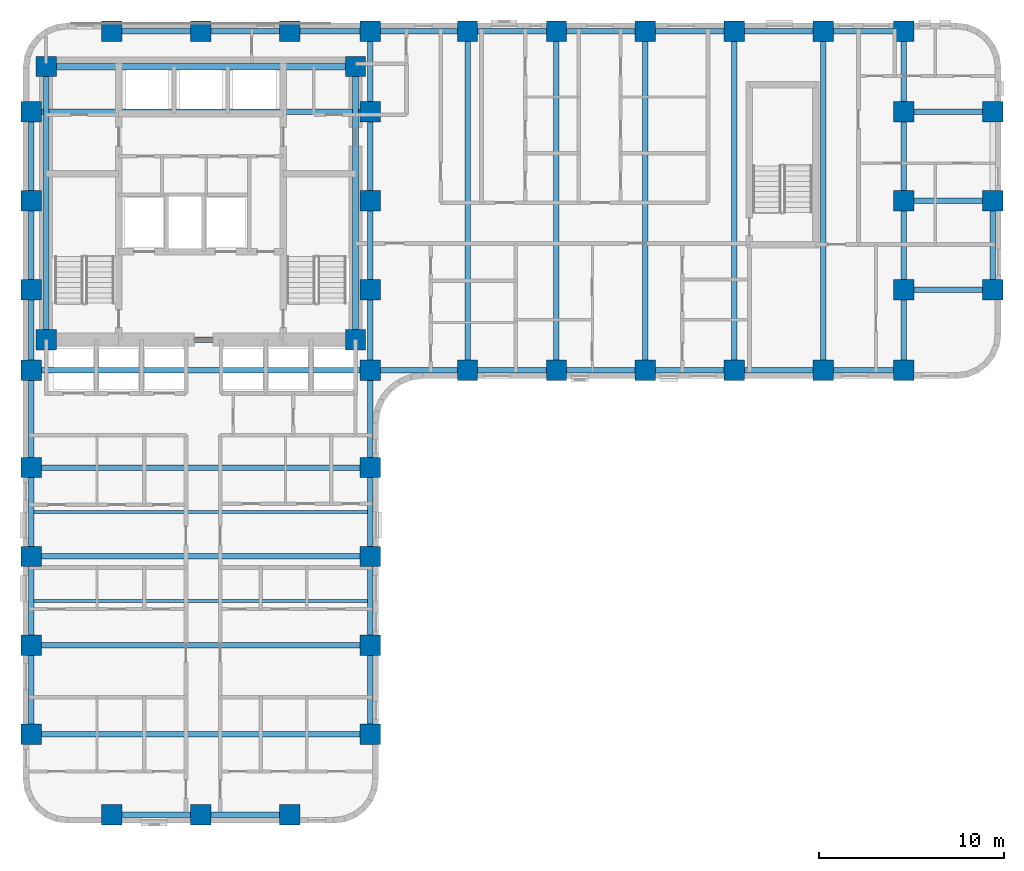
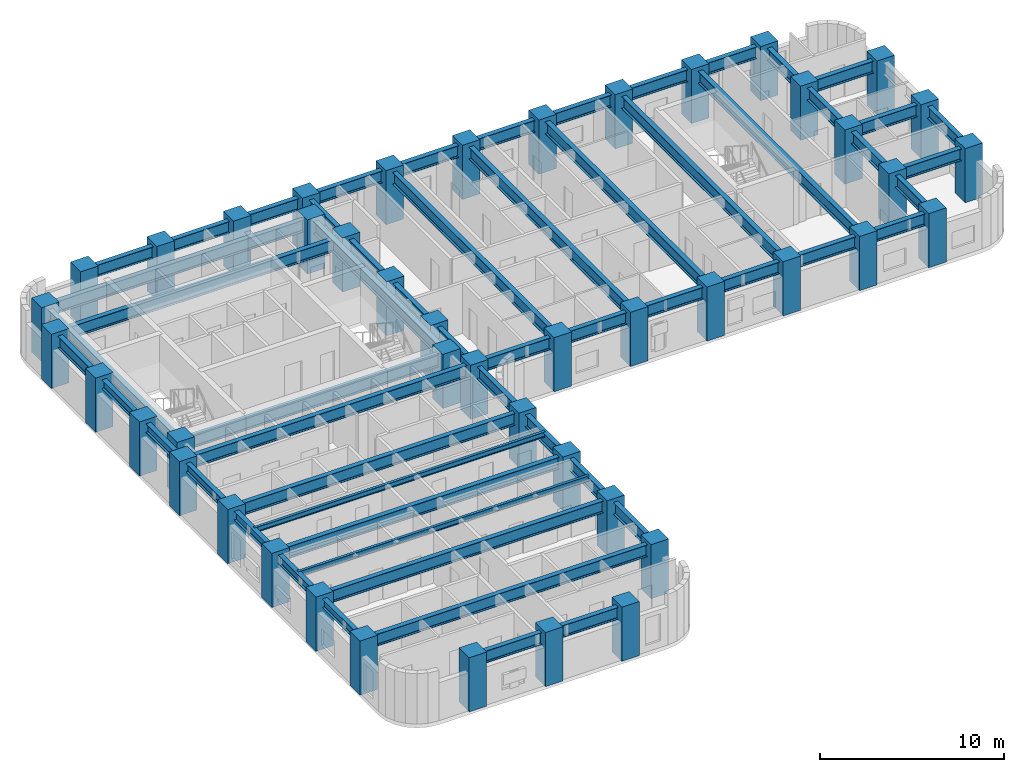
# One storey, part 1 of 11: 57 beams, 45 columns.
"""IFC4 building model written with IfcOpenShell, lengths in metres."""

import ifcopenshell
import ifcopenshell.guid

model = None  # the IFC model being written
_history = None  # IfcOwnerHistory: only IFC2X3 demands one
_inside = {}  # id of a spatial element -> (the spatial element, [elements in it])
_under = {}  # id of a project, library or spatial element -> (it, [spatial elements below it])
_declared = {}  # id of a project -> (the project, [libraries it declares])
_typed = {}  # id of a type object -> (the type object, [elements of that type])
_made_of = {}  # id of a material, layer set ... -> (it, [elements and type objects made of it])


def new_model(schema):
    """Start an empty IFC model of exactly this schema.

    Asked for "IFC4X3", IfcOpenShell would pick the latest addendum, in which some entities
    have other attributes; the version numbers below select the first issue.
    IFC2X3 requires an IfcOwnerHistory on every rooted entity: one is made here for all.
    """
    global model, _history
    if schema == "IFC4X3":
        model = ifcopenshell.file(schema_version=(4, 3, 0, 0))
    else:
        model = ifcopenshell.file(schema=schema)
    _inside.clear()
    _under.clear()
    _declared.clear()
    _typed.clear()
    _made_of.clear()
    _history = None
    if model.schema == "IFC2X3":
        org = make("IfcOrganization", Name="unknown")
        user = make(
            "IfcPersonAndOrganization",
            ThePerson=make("IfcPerson", FamilyName="unknown"),
            TheOrganization=org,
        )
        app = make(
            "IfcApplication",
            ApplicationDeveloper=org,
            Version="unknown",
            ApplicationFullName="unknown",
            ApplicationIdentifier="unknown",
        )
        _history = make(
            "IfcOwnerHistory",
            OwningUser=user,
            OwningApplication=app,
            ChangeAction="ADDED",
            CreationDate=0,
        )
    return model


def make(cls, **values):
    """One entity of the class cls with the attributes given. An attribute that is None is left unset."""
    return model.create_entity(
        cls, **{name: value for name, value in values.items() if value is not None}
    )


def rooted(cls, **values):
    """An entity with a GlobalId (a new one), such as an element, a storey or a relation."""
    return make(cls, GlobalId=ifcopenshell.guid.new(), OwnerHistory=_history, **values)


def si_unit(unit_type, name, prefix=None):
    """IfcSIUnit, for example si_unit("LENGTHUNIT", "METRE", prefix="MILLI")."""
    return make("IfcSIUnit", UnitType=unit_type, Prefix=prefix, Name=name)


def assignment(units):
    """IfcUnitAssignment: the units of a project."""
    return None if units is None else make("IfcUnitAssignment", Units=units)


def point(xyz):
    """IfcCartesianPoint."""
    return None if xyz is None else make("IfcCartesianPoint", Coordinates=xyz)


def direction(xyz):
    """IfcDirection."""
    return None if xyz is None else make("IfcDirection", DirectionRatios=xyz)


def frame(location, z_axis=None, x_axis=None):
    """IfcAxis2Placement3D, a coordinate frame: its origin and axes. An axis left out is left unset."""
    return make(
        "IfcAxis2Placement3D",
        Location=point(location),
        Axis=direction(z_axis),
        RefDirection=direction(x_axis),
    )


def frame_2d(location, x_axis=None):
    """IfcAxis2Placement2D, a coordinate frame in the plane: its origin and x axis."""
    return make(
        "IfcAxis2Placement2D", Location=point(location), RefDirection=direction(x_axis)
    )


def origin():
    """The frame at (0, 0, 0) with its axes left unset."""
    return frame((0.0, 0.0, 0.0))


def origin_2d():
    """The frame at (0, 0) in the plane with its x axis left unset."""
    return frame_2d((0.0, 0.0))


def place(relative_to, where):
    """IfcLocalPlacement: puts the frame where relative to a parent placement (None: the world)."""
    return make(
        "IfcLocalPlacement", PlacementRelTo=relative_to, RelativePlacement=where
    )


def context(
    kind, dimensions, precision=None, world=None, true_north=None, identifier=None
):
    """IfcGeometricRepresentationContext, for example the 3D "Model" context."""
    return make(
        "IfcGeometricRepresentationContext",
        ContextIdentifier=identifier,
        ContextType=kind,
        CoordinateSpaceDimension=dimensions,
        Precision=precision,
        WorldCoordinateSystem=world,
        TrueNorth=true_north,
    )


def subcontext(parent, identifier, kind, view, scale=None):
    """IfcGeometricRepresentationSubContext, for example "Body" below "Model"."""
    return make(
        "IfcGeometricRepresentationSubContext",
        ContextIdentifier=identifier,
        ContextType=kind,
        ParentContext=parent,
        TargetScale=scale,
        TargetView=view,
    )


def project(units=None, contexts=None):
    """IfcProject with its units and contexts."""
    return rooted(
        "IfcProject",
        Name="project",
        RepresentationContexts=contexts,
        UnitsInContext=assignment(units),
    )


def spatial(cls, under=None, at=None, **own):
    """A site, building, storey or space (cls), placed at a placement, below another one or the project."""
    s = rooted(cls, ObjectPlacement=at, **own)
    if under is not None:
        _under.setdefault(under.id(), (under, []))[1].append(s)
    return s


def profile(cls, at=None, kind="AREA", **sizes):
    """A parametric profile (cls). Its sizes go by their IFC names, for example OverallWidth=200.0."""
    return make(cls, ProfileType=kind, Position=at, **sizes)


def rectangle(**sizes):
    """IfcRectangleProfileDef."""
    return profile("IfcRectangleProfileDef", **sizes)


def i_section(**sizes):
    """IfcIShapeProfileDef."""
    return profile("IfcIShapeProfileDef", **sizes)


def extrude(swept, where, along, depth):
    """IfcExtrudedAreaSolid: the profile swept, set in the frame where, extruded along a direction by depth."""
    return make(
        "IfcExtrudedAreaSolid",
        SweptArea=swept,
        Position=where,
        ExtrudedDirection=direction(along),
        Depth=depth,
    )


def shape(context_of_items, identifier, shape_type, items):
    """IfcShapeRepresentation: the items that make up one representation, for example the "Body"."""
    return make(
        "IfcShapeRepresentation",
        ContextOfItems=context_of_items,
        RepresentationIdentifier=identifier,
        RepresentationType=shape_type,
        Items=items,
    )


def material(Name=None, Category=None):
    """IfcMaterial."""
    return make("IfcMaterial", Name=Name, Category=Category)


def material_profile(
    of_material, cross_section, Name=None, Category=None, Priority=None
):
    """IfcMaterialProfile: a cross section and its material."""
    return make(
        "IfcMaterialProfile",
        Name=Name,
        Material=of_material,
        Profile=cross_section,
        Priority=Priority,
        Category=Category,
    )


def profile_set(profiles, Name=None, composite=None):
    """IfcMaterialProfileSet."""
    return make(
        "IfcMaterialProfileSet",
        Name=Name,
        MaterialProfiles=profiles,
        CompositeProfile=composite,
    )


def made_of(thing, what):
    """Note that an element or type object is made of a material, layer set ...; save() writes the relation."""
    if what is not None:
        _made_of.setdefault(what.id(), (what, []))[1].append(thing)
    return thing


def type_object(cls, material=None, **own):
    """A type object (cls), such as IfcWallType, which elements share."""
    return made_of(rooted(cls, **own), material)


def element(
    cls,
    number,
    at=None,
    inside=None,
    cuts=None,
    type_object=None,
    material=None,
    context=None,
    identifier="Body",
    shape_type=None,
    held_by="IfcProductDefinitionShape",
    body=None,
    shapes=None,
    **own,
):
    """One element of the class cls, such as IfcWall. Its Tag is "e" and its number.

    at: its placement. inside: the storey or other place that contains it. cuts: it is an
    opening in that element (IfcRelVoidsElement). A single representation is given by context,
    identifier, shape_type and body (its items); several are given by shapes. held_by: the class
    of the entity that holds the representations. save() writes the other relations.
    """
    e = rooted(cls, Tag="e%d" % number, ObjectPlacement=at, **own)
    if body is not None:
        shapes = [shape(context, identifier, shape_type, body)]
    if shapes is not None:
        e.Representation = make(held_by, Representations=shapes)
    if inside is not None:
        _inside.setdefault(inside.id(), (inside, []))[1].append(e)
    if cuts is not None:
        rooted(
            "IfcRelVoidsElement", RelatingBuildingElement=cuts, RelatedOpeningElement=e
        )
    if type_object is not None:
        _typed.setdefault(type_object.id(), (type_object, []))[1].append(e)
    return made_of(e, material)


def aggregate(whole, parts):
    """IfcRelAggregates: a whole, such as a stair, and the parts it consists of."""
    return rooted("IfcRelAggregates", RelatingObject=whole, RelatedObjects=parts)


def save(model, path):
    """Write the relations noted so far, then the file.

    IfcRelAggregates (storeys below a building ...), IfcRelContainedInSpatialStructure (elements
    in a storey), IfcRelDefinesByType, IfcRelAssociatesMaterial and IfcRelDeclares: one each for
    every whole, place, type object, material and project.
    """
    for whole, parts in _under.values():
        aggregate(whole, parts)
    for where, things in _inside.values():
        rooted(
            "IfcRelContainedInSpatialStructure",
            RelatedElements=things,
            RelatingStructure=where,
        )
    for kind, things in _typed.values():
        rooted("IfcRelDefinesByType", RelatedObjects=things, RelatingType=kind)
    for what, things in _made_of.values():
        rooted("IfcRelAssociatesMaterial", RelatedObjects=things, RelatingMaterial=what)
    for by, libraries in _declared.values():
        rooted("IfcRelDeclares", RelatingContext=by, RelatedDefinitions=libraries)
    model.write(path)


model = new_model("IFC4")

# Units and contexts
model_context = context("Model", 3, precision=1e-05, world=origin(), true_north=direction((0.0, 1.0)))
body_context = subcontext(model_context, "Body", "Model", "MODEL_VIEW")
ifc_project = project(units=[si_unit("LENGTHUNIT", "METRE"), si_unit("AREAUNIT", "SQUARE_METRE"), si_unit("VOLUMEUNIT", "CUBIC_METRE"), si_unit("PLANEANGLEUNIT", "RADIAN"), si_unit("MASSUNIT", "GRAM", prefix="KILO")], contexts=[model_context])

# Site, building, storey
site_placement = place(None, origin())
site = spatial("IfcSite", under=ifc_project, at=site_placement, CompositionType="ELEMENT")
building_placement = place(site_placement, origin())
building = spatial("IfcBuilding", under=site, at=building_placement, Name="Orvandelia Arch Residences", CompositionType="ELEMENT")
storey_placement = place(building_placement, frame((0.0, 0.0, 25.0)))
storey = spatial("IfcBuildingStorey", under=building, at=storey_placement, Name="L05", CompositionType="ELEMENT", Elevation=25.0)

# Columns
ifc_material_1 = material(Name="Concrete C80/95", Category="concrete")
ifc_material_profile_1 = material_profile(ifc_material_1, rectangle(XDim=1.10009765625, YDim=1.10009765625, at=origin_2d()), Name="Concrete C80/95", Category="concrete")
ifc_profile_set_1 = profile_set([ifc_material_profile_1], Name="Concrete C80/95")
column_type = type_object("IfcColumnType", Name="COL-TWR-1100", PredefinedType="COLUMN", material=ifc_profile_set_1)
for number, where, z_axis, x_axis, name in (
    (1, (5.25, 9.60009765625, 0.0), (0.0, 0.0, 1.0), (1.0, 0.0, 0.0), "Structural Column L05-W-W-96"),
    (2, (5.25, 14.39990234375, 0.0), (0.0, 0.0, 1.0), (1.0, 0.0, 0.0), "Structural Column L05-W-W-144"),
    (3, (5.25, 19.199951171875, 0.0), (0.0, 0.0, 1.0), (1.0, 0.0, 0.0), "Structural Column L05-W-W-192"),
    (4, (5.25, 24.0, 0.0), (0.0, 0.0, 1.0), (1.0, 0.0, 0.0), "Structural Column L05-W-W-240"),
    (5, (5.25, 29.25, 0.0), (0.0, 0.0, 1.0), (1.0, 0.0, 0.0), "Structural Column L05-W-W-292"),
    (6, (5.25, 33.60009765625, 0.0), (0.0, 0.0, 1.0), (1.0, 0.0, 0.0), "Structural Column L05-W-W-336"),
    (7, (5.25, 38.39990234375, 0.0), (0.0, 0.0, 1.0), (1.0, 0.0, 0.0), "Structural Column L05-W-W-384"),
    (8, (5.25, 43.199951171875, 0.0), (0.0, 0.0, 1.0), (1.0, 0.0, 0.0), "Structural Column L05-W-W-432"),
    (9, (6.050048828125, 30.89990234375, 0.0), (0.0, 0.0, 1.0), (1.0, 0.0, 0.0), "Structural Column L05-CR-SW"),
    (10, (6.050048828125, 45.64990234375, 0.0), (0.0, 0.0, 1.0), (1.0, 0.0, 0.0), "Structural Column L05-CR-NW"),
    (11, (9.60009765625, 5.25, 0.0), (0.0, 0.0, 1.0), (1.0, 0.0, 0.0), "Structural Column L05-W-S-96"),
    (12, (9.60009765625, 47.550048828125, 0.0), (0.0, 0.0, 1.0), (1.0, 0.0, 0.0), "Structural Column L05-W-N-96"),
    (13, (14.39990234375, 5.25, 0.0), (0.0, 0.0, 1.0), (1.0, 0.0, 0.0), "Structural Column L05-W-S-144"),
    (14, (14.39990234375, 47.550048828125, 0.0), (0.0, 0.0, 1.0), (1.0, 0.0, 0.0), "Structural Column L05-W-N-144"),
    (15, (19.199951171875, 5.25, 0.0), (0.0, 0.0, 1.0), (1.0, 0.0, 0.0), "Structural Column L05-W-S-192"),
    (16, (19.199951171875, 47.550048828125, 0.0), (0.0, 0.0, 1.0), (1.0, 0.0, 0.0), "Structural Column L05-W-N-192"),
    (17, (22.75, 30.89990234375, 0.0), (0.0, 0.0, 1.0), (1.0, 0.0, 0.0), "Structural Column L05-CR-SE"),
    (18, (22.75, 45.64990234375, 0.0), (0.0, 0.0, 1.0), (1.0, 0.0, 0.0), "Structural Column L05-CR-NE"),
    (19, (23.550048828125, 9.60009765625, 0.0), (0.0, 0.0, 1.0), (1.0, 0.0, 0.0), "Structural Column L05-W-E-96"),
    (20, (23.550048828125, 14.39990234375, 0.0), (0.0, 0.0, 1.0), (1.0, 0.0, 0.0), "Structural Column L05-W-E-144"),
    (21, (23.550048828125, 19.199951171875, 0.0), (0.0, 0.0, 1.0), (1.0, 0.0, 0.0), "Structural Column L05-W-E-192"),
    (22, (23.550048828125, 24.0, 0.0), (0.0, 0.0, 1.0), (1.0, 0.0, 0.0), "Structural Column L05-W-E-240"),
    (23, (23.550048828125, 29.25, 0.0), (0.0, 0.0, 1.0), (1.0, 0.0, 0.0), "Structural Column L05-W-E-292"),
    (24, (23.550048828125, 33.60009765625, 0.0), (0.0, 0.0, 1.0), (1.0, 0.0, 0.0), "Structural Column L05-W-E-336"),
    (25, (23.550048828125, 38.39990234375, 0.0), (0.0, 0.0, 1.0), (1.0, 0.0, 0.0), "Structural Column L05-W-E-384"),
    (26, (23.550048828125, 43.199951171875, 0.0), (0.0, 0.0, 1.0), (1.0, 0.0, 0.0), "Structural Column L05-W-E-432"),
    (27, (23.550048828125, 47.550048828125, 0.0), (0.0, 0.0, 1.0), (1.0, 0.0, 0.0), "Structural Column L05-W-N-235"),
    (28, (28.800048828125, 29.25, 0.0), (0.0, 0.0, 1.0), (1.0, 0.0, 0.0), "Structural Column L05-E-S-288"),
    (29, (28.800048828125, 47.550048828125, 0.0), (0.0, 0.0, 1.0), (1.0, 0.0, 0.0), "Structural Column L05-E-N-288"),
    (30, (33.60009765625, 29.25, 0.0), (0.0, 0.0, 1.0), (1.0, 0.0, 0.0), "Structural Column L05-E-S-336"),
    (31, (33.60009765625, 47.550048828125, 0.0), (0.0, 0.0, 1.0), (1.0, 0.0, 0.0), "Structural Column L05-E-N-336"),
    (32, (38.39990234375, 29.25, 0.0), (0.0, 0.0, 1.0), (1.0, 0.0, 0.0), "Structural Column L05-E-S-384"),
    (33, (38.39990234375, 47.550048828125, 0.0), (0.0, 0.0, 1.0), (1.0, 0.0, 0.0), "Structural Column L05-E-N-384"),
    (34, (43.199951171875, 29.25, 0.0), (0.0, 0.0, 1.0), (1.0, 0.0, 0.0), "Structural Column L05-E-S-432"),
    (35, (43.199951171875, 47.550048828125, 0.0), (0.0, 0.0, 1.0), (1.0, 0.0, 0.0), "Structural Column L05-E-N-432"),
    (36, (48.0, 29.25, 0.0), (0.0, 0.0, 1.0), (1.0, 0.0, 0.0), "Structural Column L05-E-S-480"),
    (37, (48.0, 47.550048828125, 0.0), (0.0, 0.0, 1.0), (1.0, 0.0, 0.0), "Structural Column L05-E-N-480"),
    (38, (52.35009765625, 29.25, 0.0), (0.0, 0.0, 1.0), (1.0, 0.0, 0.0), "Structural Column L05-E-S-523"),
    (39, (52.35009765625, 33.60009765625, 0.0), (0.0, 0.0, 1.0), (1.0, 0.0, 0.0), "Structural Column L05-E-523-336"),
    (40, (52.35009765625, 38.39990234375, 0.0), (0.0, 0.0, 1.0), (1.0, 0.0, 0.0), "Structural Column L05-E-523-384"),
    (41, (52.35009765625, 43.199951171875, 0.0), (0.0, 0.0, 1.0), (1.0, 0.0, 0.0), "Structural Column L05-E-523-432"),
    (42, (52.35009765625, 47.550048828125, 0.0), (0.0, 0.0, 1.0), (1.0, 0.0, 0.0), "Structural Column L05-E-N-523"),
    (43, (57.14990234375, 33.60009765625, 0.0), (0.0, 0.0, 1.0), (1.0, 0.0, 0.0), "Structural Column L05-E-571-336"),
    (44, (57.14990234375, 38.39990234375, 0.0), (0.0, 0.0, 1.0), (1.0, 0.0, 0.0), "Structural Column L05-E-571-384"),
    (45, (57.14990234375, 43.199951171875, 0.0), (0.0, 0.0, 1.0), (1.0, 0.0, 0.0), "Structural Column L05-E-571-432"),
):
    element("IfcColumn", number, at=place(storey_placement, frame(where, z_axis=z_axis, x_axis=x_axis)), inside=storey, type_object=column_type, Name=name, PredefinedType="COLUMN", context=body_context, shape_type="SweptSolid", body=[
        extrude(rectangle(XDim=1.10009765625, YDim=1.10009765625, at=origin_2d()), origin(), (0.0, 0.0, 1.0), 3.60009765625),
    ])

# Beams
ifc_material_2 = material(Name="Structural Steel SM355 (355 MPa)", Category="steel")
ifc_material_profile_2 = material_profile(ifc_material_2, i_section(OverallWidth=0.300048828125, OverallDepth=0.800048828125, WebThickness=0.013916015625, FlangeThickness=0.02587890625, FilletRadius=0.02587890625, at=origin_2d()), Name="Structural Steel SM355 (355 MPa)", Category="steel")
ifc_profile_set_2 = profile_set([ifc_material_profile_2], Name="Structural Steel SM355 (355 MPa)")
beam_type_1 = type_object("IfcBeamType", Name="BM-GRD-H800", PredefinedType="BEAM", material=ifc_profile_set_2)
beam_1_placement = place(storey_placement, frame((5.25, 38.39990234375, 2.949951171875), z_axis=(0.0, 1.0, 0.0), x_axis=(-1.0, 0.0, 0.0)))
element("IfcBeam", 46, at=beam_1_placement, inside=storey, type_object=beam_type_1, Name="Structural Frame Beam L05-NS-007", PredefinedType="BEAM", context=body_context, shape_type="SweptSolid", body=[
    extrude(i_section(OverallWidth=0.300048828125, OverallDepth=0.800048828125, WebThickness=0.013916015625, FlangeThickness=0.02587890625, FilletRadius=0.02587890625, at=origin_2d()), origin(), (0.0, 0.0, 1.0), 4.800048828125),
])
for number, where, z_axis, x_axis, name in (
    (47, (6.050048828125, 30.89990234375, 2.949951171875), (0.0, 1.0, 0.0), (-1.0, 0.0, 0.0), "Structural Frame Beam L05-NS-008"),
    (48, (22.75, 30.89990234375, 2.949951171875), (0.0, 1.0, 0.0), (-1.0, 0.0, 0.0), "Structural Frame Beam L05-NS-009"),
):
    element("IfcBeam", number, at=place(storey_placement, frame(where, z_axis=z_axis, x_axis=x_axis)), inside=storey, type_object=beam_type_1, Name=name, PredefinedType="BEAM", context=body_context, shape_type="SweptSolid", body=[
        extrude(i_section(OverallWidth=0.300048828125, OverallDepth=0.800048828125, WebThickness=0.013916015625, FlangeThickness=0.02587890625, FilletRadius=0.02587890625, at=origin_2d()), origin(), (0.0, 0.0, 1.0), 14.75),
    ])
beam_2_placement = place(storey_placement, frame((23.550048828125, 9.60009765625, 2.949951171875), z_axis=(0.0, 1.0, 0.0), x_axis=(-1.0, 0.0, 0.0)))
element("IfcBeam", 49, at=beam_2_placement, inside=storey, type_object=beam_type_1, Name="Structural Frame Beam L05-NS-010", PredefinedType="BEAM", context=body_context, shape_type="SweptSolid", body=[
    extrude(i_section(OverallWidth=0.300048828125, OverallDepth=0.800048828125, WebThickness=0.013916015625, FlangeThickness=0.02587890625, FilletRadius=0.02587890625, at=origin_2d()), origin(), (0.0, 0.0, 1.0), 4.7998046875),
])
for number, where, z_axis, x_axis, name in (
    (50, (23.550048828125, 14.39990234375, 2.949951171875), (0.0, 1.0, 0.0), (-1.0, 0.0, 0.0), "Structural Frame Beam L05-NS-011"),
    (51, (23.550048828125, 19.199951171875, 2.949951171875), (0.0, 1.0, 0.0), (-1.0, 0.0, 0.0), "Structural Frame Beam L05-NS-012"),
):
    element("IfcBeam", number, at=place(storey_placement, frame(where, z_axis=z_axis, x_axis=x_axis)), inside=storey, type_object=beam_type_1, Name=name, PredefinedType="BEAM", context=body_context, shape_type="SweptSolid", body=[
        extrude(i_section(OverallWidth=0.300048828125, OverallDepth=0.800048828125, WebThickness=0.013916015625, FlangeThickness=0.02587890625, FilletRadius=0.02587890625, at=origin_2d()), origin(), (0.0, 0.0, 1.0), 4.800048828125),
    ])
beam_3_placement = place(storey_placement, frame((23.550048828125, 24.0, 2.949951171875), z_axis=(0.0, 1.0, 0.0), x_axis=(-1.0, 0.0, 0.0)))
element("IfcBeam", 52, at=beam_3_placement, inside=storey, type_object=beam_type_1, Name="Structural Frame Beam L05-NS-013", PredefinedType="BEAM", context=body_context, shape_type="SweptSolid", body=[
    extrude(i_section(OverallWidth=0.300048828125, OverallDepth=0.800048828125, WebThickness=0.013916015625, FlangeThickness=0.02587890625, FilletRadius=0.02587890625, at=origin_2d()), origin(), (0.0, 0.0, 1.0), 5.25),
])
beam_4_placement = place(storey_placement, frame((23.550048828125, 29.25, 2.949951171875), z_axis=(0.0, 1.0, 0.0), x_axis=(-1.0, 0.0, 0.0)))
element("IfcBeam", 53, at=beam_4_placement, inside=storey, type_object=beam_type_1, Name="Structural Frame Beam L05-NS-014", PredefinedType="BEAM", context=body_context, shape_type="SweptSolid", body=[
    extrude(i_section(OverallWidth=0.300048828125, OverallDepth=0.800048828125, WebThickness=0.013916015625, FlangeThickness=0.02587890625, FilletRadius=0.02587890625, at=origin_2d()), origin(), (0.0, 0.0, 1.0), 4.35009765625),
])
beam_5_placement = place(storey_placement, frame((23.550048828125, 33.60009765625, 2.949951171875), z_axis=(0.0, 1.0, 0.0), x_axis=(-1.0, 0.0, 0.0)))
element("IfcBeam", 54, at=beam_5_placement, inside=storey, type_object=beam_type_1, Name="Structural Frame Beam L05-NS-015", PredefinedType="BEAM", context=body_context, shape_type="SweptSolid", body=[
    extrude(i_section(OverallWidth=0.300048828125, OverallDepth=0.800048828125, WebThickness=0.013916015625, FlangeThickness=0.02587890625, FilletRadius=0.02587890625, at=origin_2d()), origin(), (0.0, 0.0, 1.0), 4.7998046875),
])
beam_6_placement = place(storey_placement, frame((23.550048828125, 38.39990234375, 2.949951171875), z_axis=(0.0, 1.0, 0.0), x_axis=(-1.0, 0.0, 0.0)))
element("IfcBeam", 55, at=beam_6_placement, inside=storey, type_object=beam_type_1, Name="Structural Frame Beam L05-NS-016", PredefinedType="BEAM", context=body_context, shape_type="SweptSolid", body=[
    extrude(i_section(OverallWidth=0.300048828125, OverallDepth=0.800048828125, WebThickness=0.013916015625, FlangeThickness=0.02587890625, FilletRadius=0.02587890625, at=origin_2d()), origin(), (0.0, 0.0, 1.0), 4.800048828125),
])
beam_7_placement = place(storey_placement, frame((23.550048828125, 43.199951171875, 2.949951171875), z_axis=(0.0, 1.0, 0.0), x_axis=(-1.0, 0.0, 0.0)))
element("IfcBeam", 56, at=beam_7_placement, inside=storey, type_object=beam_type_1, Name="Structural Frame Beam L05-NS-017", PredefinedType="BEAM", context=body_context, shape_type="SweptSolid", body=[
    extrude(i_section(OverallWidth=0.300048828125, OverallDepth=0.800048828125, WebThickness=0.013916015625, FlangeThickness=0.02587890625, FilletRadius=0.02587890625, at=origin_2d()), origin(), (0.0, 0.0, 1.0), 4.35009765625),
])
for number, where, z_axis, x_axis, name in (
    (57, (28.800048828125, 29.25, 2.949951171875), (0.0, 1.0, 0.0), (-1.0, 0.0, 0.0), "Structural Frame Beam L05-NS-018"),
    (58, (33.60009765625, 29.25, 2.949951171875), (0.0, 1.0, 0.0), (-1.0, 0.0, 0.0), "Structural Frame Beam L05-NS-019"),
    (59, (38.39990234375, 29.25, 2.949951171875), (0.0, 1.0, 0.0), (-1.0, 0.0, 0.0), "Structural Frame Beam L05-NS-020"),
    (60, (43.199951171875, 29.25, 2.949951171875), (0.0, 1.0, 0.0), (-1.0, 0.0, 0.0), "Structural Frame Beam L05-NS-021"),
    (61, (48.0, 29.25, 2.949951171875), (0.0, 1.0, 0.0), (-1.0, 0.0, 0.0), "Structural Frame Beam L05-NS-022"),
):
    element("IfcBeam", number, at=place(storey_placement, frame(where, z_axis=z_axis, x_axis=x_axis)), inside=storey, type_object=beam_type_1, Name=name, PredefinedType="BEAM", context=body_context, shape_type="SweptSolid", body=[
        extrude(i_section(OverallWidth=0.300048828125, OverallDepth=0.800048828125, WebThickness=0.013916015625, FlangeThickness=0.02587890625, FilletRadius=0.02587890625, at=origin_2d()), origin(), (0.0, 0.0, 1.0), 18.300048828125),
    ])
beam_8_placement = place(storey_placement, frame((52.35009765625, 29.25, 2.949951171875), z_axis=(0.0, 1.0, 0.0), x_axis=(-1.0, 0.0, 0.0)))
element("IfcBeam", 62, at=beam_8_placement, inside=storey, type_object=beam_type_1, Name="Structural Frame Beam L05-NS-023", PredefinedType="BEAM", context=body_context, shape_type="SweptSolid", body=[
    extrude(i_section(OverallWidth=0.300048828125, OverallDepth=0.800048828125, WebThickness=0.013916015625, FlangeThickness=0.02587890625, FilletRadius=0.02587890625, at=origin_2d()), origin(), (0.0, 0.0, 1.0), 4.35009765625),
])
beam_9_placement = place(storey_placement, frame((52.35009765625, 33.60009765625, 2.949951171875), z_axis=(0.0, 1.0, 0.0), x_axis=(-1.0, 0.0, 0.0)))
element("IfcBeam", 63, at=beam_9_placement, inside=storey, type_object=beam_type_1, Name="Structural Frame Beam L05-NS-024", PredefinedType="BEAM", context=body_context, shape_type="SweptSolid", body=[
    extrude(i_section(OverallWidth=0.300048828125, OverallDepth=0.800048828125, WebThickness=0.013916015625, FlangeThickness=0.02587890625, FilletRadius=0.02587890625, at=origin_2d()), origin(), (0.0, 0.0, 1.0), 4.7998046875),
])
beam_10_placement = place(storey_placement, frame((52.35009765625, 38.39990234375, 2.949951171875), z_axis=(0.0, 1.0, 0.0), x_axis=(-1.0, 0.0, 0.0)))
element("IfcBeam", 64, at=beam_10_placement, inside=storey, type_object=beam_type_1, Name="Structural Frame Beam L05-NS-025", PredefinedType="BEAM", context=body_context, shape_type="SweptSolid", body=[
    extrude(i_section(OverallWidth=0.300048828125, OverallDepth=0.800048828125, WebThickness=0.013916015625, FlangeThickness=0.02587890625, FilletRadius=0.02587890625, at=origin_2d()), origin(), (0.0, 0.0, 1.0), 4.800048828125),
])
beam_11_placement = place(storey_placement, frame((52.35009765625, 43.199951171875, 2.949951171875), z_axis=(0.0, 1.0, 0.0), x_axis=(-1.0, 0.0, 0.0)))
element("IfcBeam", 65, at=beam_11_placement, inside=storey, type_object=beam_type_1, Name="Structural Frame Beam L05-NS-026", PredefinedType="BEAM", context=body_context, shape_type="SweptSolid", body=[
    extrude(i_section(OverallWidth=0.300048828125, OverallDepth=0.800048828125, WebThickness=0.013916015625, FlangeThickness=0.02587890625, FilletRadius=0.02587890625, at=origin_2d()), origin(), (0.0, 0.0, 1.0), 4.35009765625),
])
for number, where, z_axis, x_axis, name in (
    (66, (57.14990234375, 33.60009765625, 2.949951171875), (0.0, 1.0, 0.0), (-1.0, 0.0, 0.0), "Structural Frame Beam L05-NS-027"),
    (67, (9.60009765625, 5.25, 2.949951171875), (1.0, 0.0, 0.0), (0.0, 1.0, 0.0), "Structural Frame Girder L05-EW-029"),
):
    element("IfcBeam", number, at=place(storey_placement, frame(where, z_axis=z_axis, x_axis=x_axis)), inside=storey, type_object=beam_type_1, Name=name, PredefinedType="BEAM", context=body_context, shape_type="SweptSolid", body=[
        extrude(i_section(OverallWidth=0.300048828125, OverallDepth=0.800048828125, WebThickness=0.013916015625, FlangeThickness=0.02587890625, FilletRadius=0.02587890625, at=origin_2d()), origin(), (0.0, 0.0, 1.0), 4.7998046875),
    ])
beam_12_placement = place(storey_placement, frame((14.39990234375, 5.25, 2.949951171875), z_axis=(1.0, 0.0, 0.0), x_axis=(0.0, 1.0, 0.0)))
element("IfcBeam", 68, at=beam_12_placement, inside=storey, type_object=beam_type_1, Name="Structural Frame Girder L05-EW-030", PredefinedType="BEAM", context=body_context, shape_type="SweptSolid", body=[
    extrude(i_section(OverallWidth=0.300048828125, OverallDepth=0.800048828125, WebThickness=0.013916015625, FlangeThickness=0.02587890625, FilletRadius=0.02587890625, at=origin_2d()), origin(), (0.0, 0.0, 1.0), 4.800048828125),
])
for number, where, z_axis, x_axis, name in (
    (69, (5.25, 9.60009765625, 2.949951171875), (1.0, 0.0, 0.0), (0.0, 1.0, 0.0), "Structural Frame Girder L05-EW-031"),
    (70, (5.25, 14.39990234375, 2.949951171875), (1.0, 0.0, 0.0), (0.0, 1.0, 0.0), "Structural Frame Girder L05-EW-032"),
    (71, (5.25, 19.199951171875, 2.949951171875), (1.0, 0.0, 0.0), (0.0, 1.0, 0.0), "Structural Frame Girder L05-EW-033"),
    (72, (5.25, 24.0, 2.949951171875), (1.0, 0.0, 0.0), (0.0, 1.0, 0.0), "Structural Frame Girder L05-EW-034"),
    (73, (5.25, 29.25, 2.949951171875), (1.0, 0.0, 0.0), (0.0, 1.0, 0.0), "Structural Frame Girder L05-EW-035"),
):
    element("IfcBeam", number, at=place(storey_placement, frame(where, z_axis=z_axis, x_axis=x_axis)), inside=storey, type_object=beam_type_1, Name=name, PredefinedType="BEAM", context=body_context, shape_type="SweptSolid", body=[
        extrude(i_section(OverallWidth=0.300048828125, OverallDepth=0.800048828125, WebThickness=0.013916015625, FlangeThickness=0.02587890625, FilletRadius=0.02587890625, at=origin_2d()), origin(), (0.0, 0.0, 1.0), 18.300048828125),
    ])
beam_13_placement = place(storey_placement, frame((23.550048828125, 29.25, 2.949951171875), z_axis=(1.0, 0.0, 0.0), x_axis=(0.0, 1.0, 0.0)))
element("IfcBeam", 74, at=beam_13_placement, inside=storey, type_object=beam_type_1, Name="Structural Frame Girder L05-EW-036", PredefinedType="BEAM", context=body_context, shape_type="SweptSolid", body=[
    extrude(i_section(OverallWidth=0.300048828125, OverallDepth=0.800048828125, WebThickness=0.013916015625, FlangeThickness=0.02587890625, FilletRadius=0.02587890625, at=origin_2d()), origin(), (0.0, 0.0, 1.0), 5.25),
])
beam_14_placement = place(storey_placement, frame((28.800048828125, 29.25, 2.949951171875), z_axis=(1.0, 0.0, 0.0), x_axis=(0.0, 1.0, 0.0)))
element("IfcBeam", 75, at=beam_14_placement, inside=storey, type_object=beam_type_1, Name="Structural Frame Girder L05-EW-037", PredefinedType="BEAM", context=body_context, shape_type="SweptSolid", body=[
    extrude(i_section(OverallWidth=0.300048828125, OverallDepth=0.800048828125, WebThickness=0.013916015625, FlangeThickness=0.02587890625, FilletRadius=0.02587890625, at=origin_2d()), origin(), (0.0, 0.0, 1.0), 4.800048828125),
])
beam_15_placement = place(storey_placement, frame((33.60009765625, 29.25, 2.949951171875), z_axis=(1.0, 0.0, 0.0), x_axis=(0.0, 1.0, 0.0)))
element("IfcBeam", 76, at=beam_15_placement, inside=storey, type_object=beam_type_1, Name="Structural Frame Girder L05-EW-038", PredefinedType="BEAM", context=body_context, shape_type="SweptSolid", body=[
    extrude(i_section(OverallWidth=0.300048828125, OverallDepth=0.800048828125, WebThickness=0.013916015625, FlangeThickness=0.02587890625, FilletRadius=0.02587890625, at=origin_2d()), origin(), (0.0, 0.0, 1.0), 4.7998046875),
])
for number, where, z_axis, x_axis, name in (
    (77, (38.39990234375, 29.25, 2.949951171875), (1.0, 0.0, 0.0), (0.0, 1.0, 0.0), "Structural Frame Girder L05-EW-039"),
    (78, (43.199951171875, 29.25, 2.949951171875), (1.0, 0.0, 0.0), (0.0, 1.0, 0.0), "Structural Frame Girder L05-EW-040"),
):
    element("IfcBeam", number, at=place(storey_placement, frame(where, z_axis=z_axis, x_axis=x_axis)), inside=storey, type_object=beam_type_1, Name=name, PredefinedType="BEAM", context=body_context, shape_type="SweptSolid", body=[
        extrude(i_section(OverallWidth=0.300048828125, OverallDepth=0.800048828125, WebThickness=0.013916015625, FlangeThickness=0.02587890625, FilletRadius=0.02587890625, at=origin_2d()), origin(), (0.0, 0.0, 1.0), 4.800048828125),
    ])
beam_16_placement = place(storey_placement, frame((48.0, 29.25, 2.949951171875), z_axis=(1.0, 0.0, 0.0), x_axis=(0.0, 1.0, 0.0)))
element("IfcBeam", 79, at=beam_16_placement, inside=storey, type_object=beam_type_1, Name="Structural Frame Girder L05-EW-041", PredefinedType="BEAM", context=body_context, shape_type="SweptSolid", body=[
    extrude(i_section(OverallWidth=0.300048828125, OverallDepth=0.800048828125, WebThickness=0.013916015625, FlangeThickness=0.02587890625, FilletRadius=0.02587890625, at=origin_2d()), origin(), (0.0, 0.0, 1.0), 4.35009765625),
])
beam_17_placement = place(storey_placement, frame((6.050048828125, 30.89990234375, 2.949951171875), z_axis=(1.0, 0.0, 0.0), x_axis=(0.0, 1.0, 0.0)))
element("IfcBeam", 80, at=beam_17_placement, inside=storey, type_object=beam_type_1, Name="Structural Frame Girder L05-EW-042", PredefinedType="BEAM", context=body_context, shape_type="SweptSolid", body=[
    extrude(i_section(OverallWidth=0.300048828125, OverallDepth=0.800048828125, WebThickness=0.013916015625, FlangeThickness=0.02587890625, FilletRadius=0.02587890625, at=origin_2d()), origin(), (0.0, 0.0, 1.0), 16.699951171875),
])
for number, where, z_axis, x_axis, name in (
    (81, (52.35009765625, 33.60009765625, 2.949951171875), (1.0, 0.0, 0.0), (0.0, 1.0, 0.0), "Structural Frame Girder L05-EW-044"),
    (82, (52.35009765625, 38.39990234375, 2.949951171875), (1.0, 0.0, 0.0), (0.0, 1.0, 0.0), "Structural Frame Girder L05-EW-046"),
):
    element("IfcBeam", number, at=place(storey_placement, frame(where, z_axis=z_axis, x_axis=x_axis)), inside=storey, type_object=beam_type_1, Name=name, PredefinedType="BEAM", context=body_context, shape_type="SweptSolid", body=[
        extrude(i_section(OverallWidth=0.300048828125, OverallDepth=0.800048828125, WebThickness=0.013916015625, FlangeThickness=0.02587890625, FilletRadius=0.02587890625, at=origin_2d()), origin(), (0.0, 0.0, 1.0), 4.7998046875),
    ])
beam_18_placement = place(storey_placement, frame((5.25, 43.199951171875, 2.949951171875), z_axis=(1.0, 0.0, 0.0), x_axis=(0.0, 1.0, 0.0)))
element("IfcBeam", 83, at=beam_18_placement, inside=storey, type_object=beam_type_1, Name="Structural Frame Girder L05-EW-047", PredefinedType="BEAM", context=body_context, shape_type="SweptSolid", body=[
    extrude(i_section(OverallWidth=0.300048828125, OverallDepth=0.800048828125, WebThickness=0.013916015625, FlangeThickness=0.02587890625, FilletRadius=0.02587890625, at=origin_2d()), origin(), (0.0, 0.0, 1.0), 18.300048828125),
])
beam_19_placement = place(storey_placement, frame((52.35009765625, 43.199951171875, 2.949951171875), z_axis=(1.0, 0.0, 0.0), x_axis=(0.0, 1.0, 0.0)))
element("IfcBeam", 84, at=beam_19_placement, inside=storey, type_object=beam_type_1, Name="Structural Frame Girder L05-EW-048", PredefinedType="BEAM", context=body_context, shape_type="SweptSolid", body=[
    extrude(i_section(OverallWidth=0.300048828125, OverallDepth=0.800048828125, WebThickness=0.013916015625, FlangeThickness=0.02587890625, FilletRadius=0.02587890625, at=origin_2d()), origin(), (0.0, 0.0, 1.0), 4.7998046875),
])
beam_20_placement = place(storey_placement, frame((6.050048828125, 45.64990234375, 2.949951171875), z_axis=(1.0, 0.0, 0.0), x_axis=(0.0, 1.0, 0.0)))
element("IfcBeam", 85, at=beam_20_placement, inside=storey, type_object=beam_type_1, Name="Structural Frame Girder L05-EW-049", PredefinedType="BEAM", context=body_context, shape_type="SweptSolid", body=[
    extrude(i_section(OverallWidth=0.300048828125, OverallDepth=0.800048828125, WebThickness=0.013916015625, FlangeThickness=0.02587890625, FilletRadius=0.02587890625, at=origin_2d()), origin(), (0.0, 0.0, 1.0), 16.699951171875),
])
beam_21_placement = place(storey_placement, frame((9.60009765625, 47.550048828125, 2.949951171875), z_axis=(1.0, 0.0, 0.0), x_axis=(0.0, 1.0, 0.0)))
element("IfcBeam", 86, at=beam_21_placement, inside=storey, type_object=beam_type_1, Name="Structural Frame Girder L05-EW-050", PredefinedType="BEAM", context=body_context, shape_type="SweptSolid", body=[
    extrude(i_section(OverallWidth=0.300048828125, OverallDepth=0.800048828125, WebThickness=0.013916015625, FlangeThickness=0.02587890625, FilletRadius=0.02587890625, at=origin_2d()), origin(), (0.0, 0.0, 1.0), 4.7998046875),
])
beam_22_placement = place(storey_placement, frame((14.39990234375, 47.550048828125, 2.949951171875), z_axis=(1.0, 0.0, 0.0), x_axis=(0.0, 1.0, 0.0)))
element("IfcBeam", 87, at=beam_22_placement, inside=storey, type_object=beam_type_1, Name="Structural Frame Girder L05-EW-051", PredefinedType="BEAM", context=body_context, shape_type="SweptSolid", body=[
    extrude(i_section(OverallWidth=0.300048828125, OverallDepth=0.800048828125, WebThickness=0.013916015625, FlangeThickness=0.02587890625, FilletRadius=0.02587890625, at=origin_2d()), origin(), (0.0, 0.0, 1.0), 4.800048828125),
])
beam_23_placement = place(storey_placement, frame((19.199951171875, 47.550048828125, 2.949951171875), z_axis=(1.0, 0.0, 0.0), x_axis=(0.0, 1.0, 0.0)))
element("IfcBeam", 88, at=beam_23_placement, inside=storey, type_object=beam_type_1, Name="Structural Frame Girder L05-EW-052", PredefinedType="BEAM", context=body_context, shape_type="SweptSolid", body=[
    extrude(i_section(OverallWidth=0.300048828125, OverallDepth=0.800048828125, WebThickness=0.013916015625, FlangeThickness=0.02587890625, FilletRadius=0.02587890625, at=origin_2d()), origin(), (0.0, 0.0, 1.0), 4.35009765625),
])
beam_24_placement = place(storey_placement, frame((23.550048828125, 47.550048828125, 2.949951171875), z_axis=(1.0, 0.0, 0.0), x_axis=(0.0, 1.0, 0.0)))
element("IfcBeam", 89, at=beam_24_placement, inside=storey, type_object=beam_type_1, Name="Structural Frame Girder L05-EW-053", PredefinedType="BEAM", context=body_context, shape_type="SweptSolid", body=[
    extrude(i_section(OverallWidth=0.300048828125, OverallDepth=0.800048828125, WebThickness=0.013916015625, FlangeThickness=0.02587890625, FilletRadius=0.02587890625, at=origin_2d()), origin(), (0.0, 0.0, 1.0), 5.25),
])
beam_25_placement = place(storey_placement, frame((28.800048828125, 47.550048828125, 2.949951171875), z_axis=(1.0, 0.0, 0.0), x_axis=(0.0, 1.0, 0.0)))
element("IfcBeam", 90, at=beam_25_placement, inside=storey, type_object=beam_type_1, Name="Structural Frame Girder L05-EW-054", PredefinedType="BEAM", context=body_context, shape_type="SweptSolid", body=[
    extrude(i_section(OverallWidth=0.300048828125, OverallDepth=0.800048828125, WebThickness=0.013916015625, FlangeThickness=0.02587890625, FilletRadius=0.02587890625, at=origin_2d()), origin(), (0.0, 0.0, 1.0), 4.800048828125),
])
beam_26_placement = place(storey_placement, frame((33.60009765625, 47.550048828125, 2.949951171875), z_axis=(1.0, 0.0, 0.0), x_axis=(0.0, 1.0, 0.0)))
element("IfcBeam", 91, at=beam_26_placement, inside=storey, type_object=beam_type_1, Name="Structural Frame Girder L05-EW-055", PredefinedType="BEAM", context=body_context, shape_type="SweptSolid", body=[
    extrude(i_section(OverallWidth=0.300048828125, OverallDepth=0.800048828125, WebThickness=0.013916015625, FlangeThickness=0.02587890625, FilletRadius=0.02587890625, at=origin_2d()), origin(), (0.0, 0.0, 1.0), 4.7998046875),
])
for number, where, z_axis, x_axis, name in (
    (92, (38.39990234375, 47.550048828125, 2.949951171875), (1.0, 0.0, 0.0), (0.0, 1.0, 0.0), "Structural Frame Girder L05-EW-056"),
    (93, (43.199951171875, 47.550048828125, 2.949951171875), (1.0, 0.0, 0.0), (0.0, 1.0, 0.0), "Structural Frame Girder L05-EW-057"),
):
    element("IfcBeam", number, at=place(storey_placement, frame(where, z_axis=z_axis, x_axis=x_axis)), inside=storey, type_object=beam_type_1, Name=name, PredefinedType="BEAM", context=body_context, shape_type="SweptSolid", body=[
        extrude(i_section(OverallWidth=0.300048828125, OverallDepth=0.800048828125, WebThickness=0.013916015625, FlangeThickness=0.02587890625, FilletRadius=0.02587890625, at=origin_2d()), origin(), (0.0, 0.0, 1.0), 4.800048828125),
    ])
beam_27_placement = place(storey_placement, frame((48.0, 47.550048828125, 2.949951171875), z_axis=(1.0, 0.0, 0.0), x_axis=(0.0, 1.0, 0.0)))
element("IfcBeam", 94, at=beam_27_placement, inside=storey, type_object=beam_type_1, Name="Structural Frame Girder L05-EW-058", PredefinedType="BEAM", context=body_context, shape_type="SweptSolid", body=[
    extrude(i_section(OverallWidth=0.300048828125, OverallDepth=0.800048828125, WebThickness=0.013916015625, FlangeThickness=0.02587890625, FilletRadius=0.02587890625, at=origin_2d()), origin(), (0.0, 0.0, 1.0), 4.35009765625),
])
ifc_material_profile_3 = material_profile(ifc_material_2, i_section(OverallWidth=0.175048828125, OverallDepth=0.35009765625, WebThickness=0.007080078125, FlangeThickness=0.010986328125, FilletRadius=0.012939453125, at=origin_2d()), Name="Structural Steel SM355 (355 MPa)", Category="steel")
ifc_profile_set_3 = profile_set([ifc_material_profile_3], Name="Structural Steel SM355 (355 MPa)")
beam_type_2 = type_object("IfcBeamType", Name="BM-JST-H350", PredefinedType="JOIST", material=ifc_profile_set_3)
for number, where, z_axis, x_axis, name in (
    (95, (5.25, 16.800048828125, 3.175048828125), (1.0, 0.0, 0.0), (0.0, 1.0, 0.0), "Composite Floor Joist L05-J1"),
    (96, (5.25, 21.60009765625, 3.175048828125), (1.0, 0.0, 0.0), (0.0, 1.0, 0.0), "Composite Floor Joist L05-J2"),
):
    element("IfcBeam", number, at=place(storey_placement, frame(where, z_axis=z_axis, x_axis=x_axis)), inside=storey, type_object=beam_type_2, Name=name, PredefinedType="JOIST", context=body_context, shape_type="SweptSolid", body=[
        extrude(i_section(OverallWidth=0.175048828125, OverallDepth=0.35009765625, WebThickness=0.007080078125, FlangeThickness=0.010986328125, FilletRadius=0.012939453125, at=origin_2d()), origin(), (0.0, 0.0, 1.0), 18.300048828125),
    ])
ifc_material_profile_4 = material_profile(ifc_material_2, i_section(OverallWidth=0.300048828125, OverallDepth=0.587890625, WebThickness=0.011962890625, FlangeThickness=0.02001953125, FilletRadius=0.02197265625, at=origin_2d()), Name="Structural Steel SM355 (355 MPa)", Category="steel")
ifc_profile_set_4 = profile_set([ifc_material_profile_4], Name="Structural Steel SM355 (355 MPa)")
beam_type_3 = type_object("IfcBeamType", Name="BM-SPN-H588", PredefinedType="SPANDREL", material=ifc_profile_set_4)
beam_28_placement = place(storey_placement, frame((5.25, 9.60009765625, 3.055908203125), z_axis=(0.0, 1.0, 0.0), x_axis=(-1.0, 0.0, 0.0)))
element("IfcBeam", 97, at=beam_28_placement, inside=storey, type_object=beam_type_3, Name="Structural Frame Beam L05-NS-001", PredefinedType="SPANDREL", context=body_context, shape_type="SweptSolid", body=[
    extrude(i_section(OverallWidth=0.300048828125, OverallDepth=0.587890625, WebThickness=0.011962890625, FlangeThickness=0.02001953125, FilletRadius=0.02197265625, at=origin_2d()), origin(), (0.0, 0.0, 1.0), 4.7998046875),
])
for number, where, z_axis, x_axis, name in (
    (98, (5.25, 14.39990234375, 3.055908203125), (0.0, 1.0, 0.0), (-1.0, 0.0, 0.0), "Structural Frame Beam L05-NS-002"),
    (99, (5.25, 19.199951171875, 3.055908203125), (0.0, 1.0, 0.0), (-1.0, 0.0, 0.0), "Structural Frame Beam L05-NS-003"),
):
    element("IfcBeam", number, at=place(storey_placement, frame(where, z_axis=z_axis, x_axis=x_axis)), inside=storey, type_object=beam_type_3, Name=name, PredefinedType="SPANDREL", context=body_context, shape_type="SweptSolid", body=[
        extrude(i_section(OverallWidth=0.300048828125, OverallDepth=0.587890625, WebThickness=0.011962890625, FlangeThickness=0.02001953125, FilletRadius=0.02197265625, at=origin_2d()), origin(), (0.0, 0.0, 1.0), 4.800048828125),
    ])
beam_29_placement = place(storey_placement, frame((5.25, 24.0, 3.055908203125), z_axis=(0.0, 1.0, 0.0), x_axis=(-1.0, 0.0, 0.0)))
element("IfcBeam", 100, at=beam_29_placement, inside=storey, type_object=beam_type_3, Name="Structural Frame Beam L05-NS-004", PredefinedType="SPANDREL", context=body_context, shape_type="SweptSolid", body=[
    extrude(i_section(OverallWidth=0.300048828125, OverallDepth=0.587890625, WebThickness=0.011962890625, FlangeThickness=0.02001953125, FilletRadius=0.02197265625, at=origin_2d()), origin(), (0.0, 0.0, 1.0), 5.25),
])
beam_30_placement = place(storey_placement, frame((5.25, 29.25, 3.055908203125), z_axis=(0.0, 1.0, 0.0), x_axis=(-1.0, 0.0, 0.0)))
element("IfcBeam", 101, at=beam_30_placement, inside=storey, type_object=beam_type_3, Name="Structural Frame Beam L05-NS-005", PredefinedType="SPANDREL", context=body_context, shape_type="SweptSolid", body=[
    extrude(i_section(OverallWidth=0.300048828125, OverallDepth=0.587890625, WebThickness=0.011962890625, FlangeThickness=0.02001953125, FilletRadius=0.02197265625, at=origin_2d()), origin(), (0.0, 0.0, 1.0), 4.35009765625),
])
beam_31_placement = place(storey_placement, frame((5.25, 33.60009765625, 3.055908203125), z_axis=(0.0, 1.0, 0.0), x_axis=(-1.0, 0.0, 0.0)))
element("IfcBeam", 102, at=beam_31_placement, inside=storey, type_object=beam_type_3, Name="Structural Frame Beam L05-NS-006", PredefinedType="SPANDREL", context=body_context, shape_type="SweptSolid", body=[
    extrude(i_section(OverallWidth=0.300048828125, OverallDepth=0.587890625, WebThickness=0.011962890625, FlangeThickness=0.02001953125, FilletRadius=0.02197265625, at=origin_2d()), origin(), (0.0, 0.0, 1.0), 4.7998046875),
])

save(model, "model.ifc")
